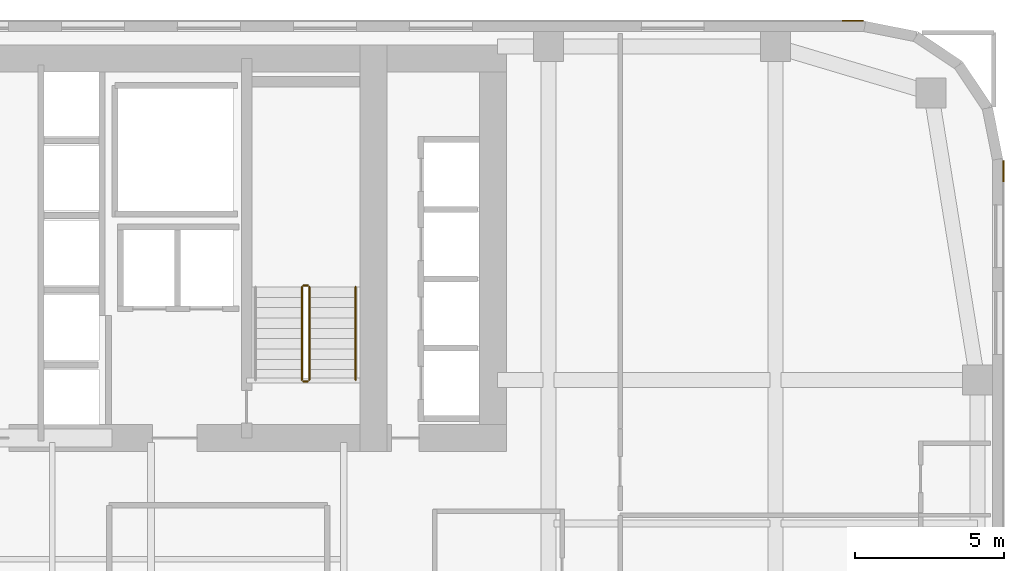
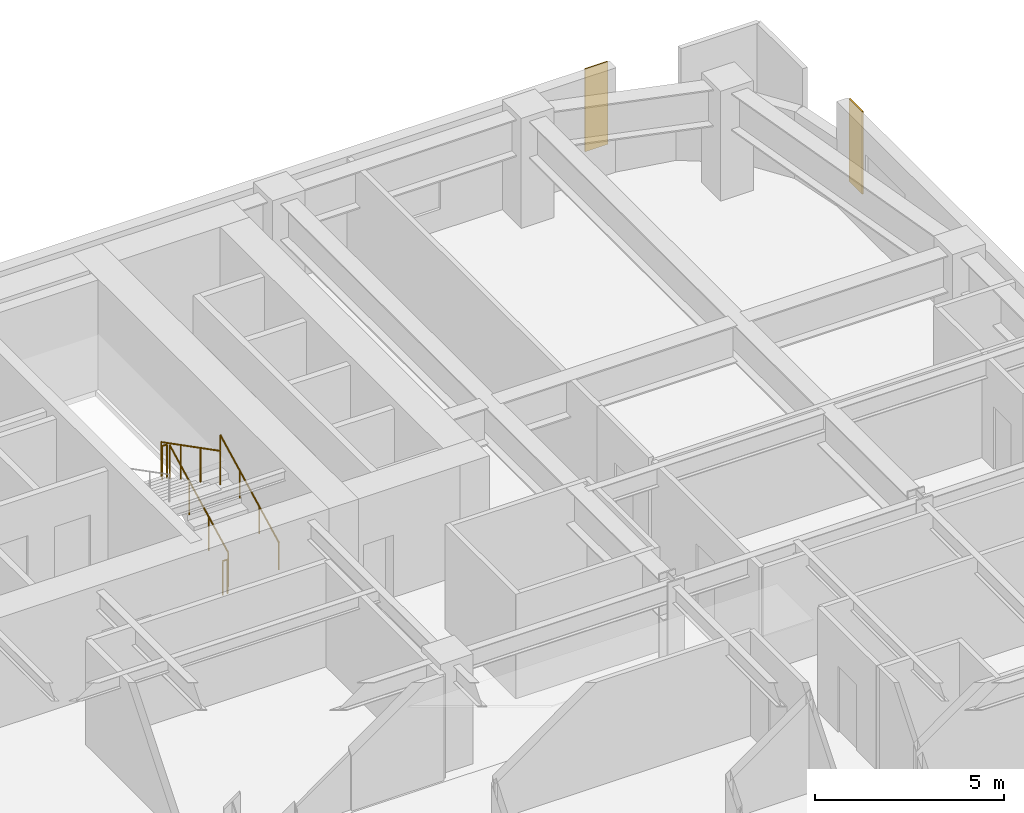
# One storey, part 37 of 37: 5 railings, 2 coverings.
"""IFC4 building model written with IfcOpenShell, lengths in metres."""

from ifc_helpers import new_model, si_unit, direction, frame, origin, origin_2d, place, context, subcontext, project, spatial, polyline, circle, outline, extrude, material, layer, layer_set, type_object, element, save


model = new_model("IFC4")

# Units and contexts
model_context = context("Model", 3, precision=1e-05, world=origin(), true_north=direction((0.0, 1.0)))
body_context = subcontext(model_context, "Body", "Model", "MODEL_VIEW")
ifc_project = project(units=[si_unit("LENGTHUNIT", "METRE"), si_unit("AREAUNIT", "SQUARE_METRE"), si_unit("VOLUMEUNIT", "CUBIC_METRE"), si_unit("PLANEANGLEUNIT", "RADIAN"), si_unit("MASSUNIT", "GRAM", prefix="KILO")], contexts=[model_context])

# Site, building, storey
site_placement = place(None, origin())
site = spatial("IfcSite", under=ifc_project, at=site_placement, CompositionType="ELEMENT")
building_placement = place(site_placement, origin())
building = spatial("IfcBuilding", under=site, at=building_placement, Name="Tolvann Quenvar Hotel", CompositionType="ELEMENT")
storey_placement = place(building_placement, frame((0.0, 0.0, 53.300048828125)))
storey = spatial("IfcBuildingStorey", under=building, at=storey_placement, Name="L12", CompositionType="ELEMENT", Elevation=53.300048828125)

# Coverings
ifc_material_1 = material(Name="Kiln-fired red architectural face brick cladding", Category="masonry")
ifc_layer = layer(ifc_material_1, 0.0400390625)
ifc_layer_set = layer_set([ifc_layer], Name="Kiln-fired red architectural face brick cladding")
covering_type = type_object("IfcCoveringType", Name="COV_CLAD_BRICK_40", PredefinedType="CLADDING", material=ifc_layer_set)
covering_1_placement = place(storey_placement, frame((0.0, 0.0, 0.699951171875)))
element("IfcCovering", 1, at=covering_1_placement, inside=storey, type_object=covering_type, Name="Brick Pier Cladding (L12-E13-P2)", PredefinedType="CLADDING", context=body_context, shape_type="SweptSolid", body=[
    extrude(outline(polyline([(57.0, 40.6328125), (57.0, 41.332763671875), (57.0400390625, 41.332763671875), (57.0400390625, 40.6328125), (57.0, 40.6328125)])), origin(), (0.0, 0.0, 1.0), 2.669921875),
])
covering_2_placement = place(storey_placement, frame((0.0, 0.0, 0.699951171875)))
element("IfcCovering", 2, at=covering_2_placement, inside=storey, type_object=covering_type, Name="Brick Pier Cladding (L12-E18-P1)", PredefinedType="CLADDING", context=body_context, shape_type="SweptSolid", body=[
    extrude(outline(polyline([(52.332763671875, 46.0), (51.6328125, 46.0), (51.6328125, 46.0400390625), (52.332763671875, 46.0400390625), (52.332763671875, 46.0)])), origin(), (0.0, 0.0, 1.0), 2.669921875),
])

# Railings
ifc_material_2 = material(Name="Brushed 316 stainless steel balustrade and handrail", Category="steel")
railing_type_1 = type_object("IfcRailingType", Name="GUARDRAIL", PredefinedType="GUARDRAIL", material=ifc_material_2)
railing_1_placement = place(storey_placement, frame((33.800048828125, 34.0, 0.177490234375)))
element("IfcRailing", 3, at=railing_1_placement, inside=storey, type_object=railing_type_1, Name="L12 ST-C2 stair guard 1", PredefinedType="GUARDRAIL", context=body_context, shape_type="SweptSolid", body=[
    extrude(circle(Radius=0.02392578125, at=origin_2d()), frame((0.0, 0.0, 1.09619140625), z_axis=(0.0, 0.889221982265, 0.45747597342), x_axis=(-1.0, 0.0, 0.0)), (0.0, 0.0, 1.0), 3.49169921875),
    extrude(circle(Radius=0.02099609375, at=origin_2d()), origin(), (0.0, 0.0, 1.0), 1.072021484375),
    extrude(circle(Radius=0.02099609375, at=origin_2d()), frame((0.0, 1.034912109375, 0.532470703125)), (0.0, 0.0, 1.0), 1.072021484375),
    extrude(circle(Radius=0.02099609375, at=origin_2d()), frame((0.0, 2.070068359375, 1.06494140625)), (0.0, 0.0, 1.0), 1.072021484375),
    extrude(circle(Radius=0.02099609375, at=origin_2d()), frame((0.0, 3.10498046875, 1.597412109375)), (0.0, 0.0, 1.0), 1.072021484375),
])
railing_2_placement = place(storey_placement, frame((33.75, 37.155029296875, 1.77490234375)))
element("IfcRailing", 4, at=railing_2_placement, inside=storey, type_object=railing_type_1, Name="L12 ST-C2 stair guard 2", PredefinedType="GUARDRAIL", context=body_context, shape_type="SweptSolid", body=[
    extrude(circle(Radius=0.02392578125, at=origin_2d()), frame((0.0, 0.0, 1.09619140625), z_axis=(-1.0, 0.0, 0.0), x_axis=(0.0, -1.0, 0.0)), (0.0, 0.0, 1.0), 0.14990234375),
    extrude(circle(Radius=0.02099609375, at=origin_2d()), origin(), (0.0, 0.0, 1.0), 1.072021484375),
    extrude(circle(Radius=0.02099609375, at=origin_2d()), frame((-0.14990234375, 0.0, 0.0)), (0.0, 0.0, 1.0), 1.072021484375),
])
railing_3_placement = place(storey_placement, frame((33.550048828125, 37.10498046875, 1.952392578125)))
element("IfcRailing", 5, at=railing_3_placement, inside=storey, type_object=railing_type_1, Name="L12 ST-C2 stair guard 3", PredefinedType="GUARDRAIL", context=body_context, shape_type="SweptSolid", body=[
    extrude(circle(Radius=0.02392578125, at=origin_2d()), frame((0.0, 0.0, 1.09619140625), z_axis=(0.0, -0.88919353882, 0.457531256332), x_axis=(1.0, 0.0, 0.0)), (0.0, 0.0, 1.0), 3.491943359375),
    extrude(circle(Radius=0.02099609375, at=origin_2d()), origin(), (0.0, 0.0, 1.0), 1.072021484375),
    extrude(circle(Radius=0.02099609375, at=origin_2d()), frame((0.0, -1.034912109375, 0.532470703125)), (0.0, 0.0, 1.0), 1.072021484375),
    extrude(circle(Radius=0.02099609375, at=origin_2d()), frame((0.0, -2.070068359375, 1.065185546875)), (0.0, 0.0, 1.0), 1.072021484375),
    extrude(circle(Radius=0.02099609375, at=origin_2d()), frame((0.0, -3.10498046875, 1.59765625)), (0.0, 0.0, 1.0), 1.072021484375),
])
railing_4_placement = place(storey_placement, frame((33.75, 33.949951171875, 0.0)))
element("IfcRailing", 6, at=railing_4_placement, inside=storey, type_object=railing_type_1, Name="L12 ST-C2 stair guard 4", PredefinedType="GUARDRAIL", context=body_context, shape_type="SweptSolid", body=[
    extrude(circle(Radius=0.02392578125, at=origin_2d()), frame((0.0, 0.0, 1.09619140625), z_axis=(-1.0, 0.0, 0.0), x_axis=(0.0, -1.0, 0.0)), (0.0, 0.0, 1.0), 0.14990234375),
    extrude(circle(Radius=0.02099609375, at=origin_2d()), origin(), (0.0, 0.0, 1.0), 1.072021484375),
    extrude(circle(Radius=0.02099609375, at=origin_2d()), frame((-0.14990234375, 0.0, 0.0)), (0.0, 0.0, 1.0), 1.072021484375),
])
railing_type_2 = type_object("IfcRailingType", Name="HANDRAIL", PredefinedType="HANDRAIL", material=ifc_material_2)
railing_5_placement = place(storey_placement, frame((35.35009765625, 34.0, 0.177490234375)))
element("IfcRailing", 7, at=railing_5_placement, inside=storey, type_object=railing_type_2, Name="L12 ST-C2 stair handrail 1", PredefinedType="HANDRAIL", context=body_context, shape_type="SweptSolid", body=[
    extrude(circle(Radius=0.02392578125, at=origin_2d()), frame((0.0, 0.0, 0.8759765625), z_axis=(0.0, 0.889221982265, 0.45747597342), x_axis=(-1.0, 0.0, 0.0)), (0.0, 0.0, 1.0), 3.49169921875),
    extrude(circle(Radius=0.02099609375, at=origin_2d()), origin(), (0.0, 0.0, 1.0), 0.851806640625),
    extrude(circle(Radius=0.02099609375, at=origin_2d()), frame((0.0, 1.034912109375, 0.532470703125)), (0.0, 0.0, 1.0), 0.851806640625),
    extrude(circle(Radius=0.02099609375, at=origin_2d()), frame((0.0, 2.070068359375, 1.06494140625)), (0.0, 0.0, 1.0), 0.851806640625),
    extrude(circle(Radius=0.02099609375, at=origin_2d()), frame((0.0, 3.10498046875, 1.597412109375)), (0.0, 0.0, 1.0), 0.851806640625),
])

save(model, "model.ifc")
